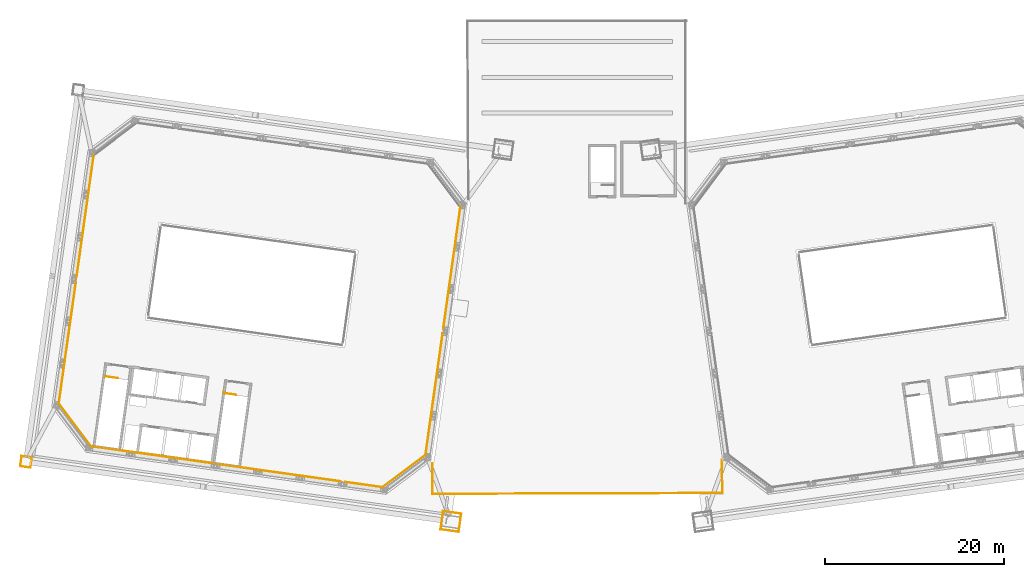
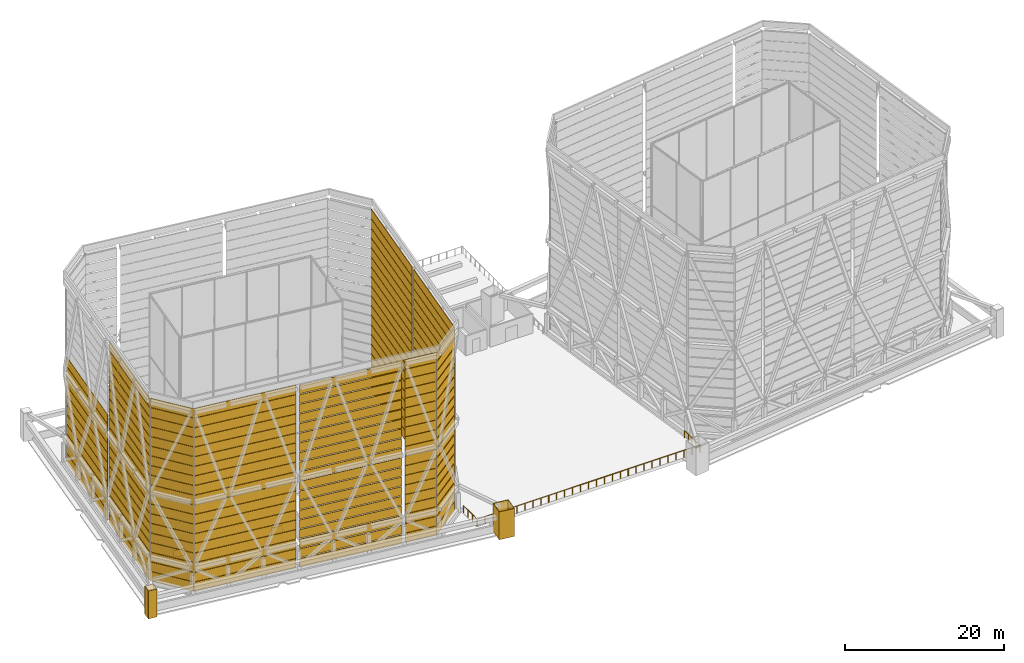
# One storey, part 42 of 45: 171 coverings, 3 railings.
"""IFC4 building model written with IfcOpenShell, lengths in metres."""

from ifc_helpers import new_model, si_unit, direction, frame, origin, origin_2d, place, context, subcontext, project, spatial, polyline, rectangle, outline, extrude, material, layer, layer_set, type_object, element, save


model = new_model("IFC4")

# Units and contexts
model_context = context("Model", 3, precision=1e-05, world=origin(), true_north=direction((0.0, 1.0)))
body_context = subcontext(model_context, "Body", "Model", "MODEL_VIEW")
ifc_project = project(units=[si_unit("LENGTHUNIT", "METRE"), si_unit("AREAUNIT", "SQUARE_METRE"), si_unit("VOLUMEUNIT", "CUBIC_METRE"), si_unit("PLANEANGLEUNIT", "RADIAN"), si_unit("MASSUNIT", "GRAM", prefix="KILO")], contexts=[model_context])

# Site, building, storey
site_placement = place(None, origin())
site = spatial("IfcSite", under=ifc_project, at=site_placement, CompositionType="ELEMENT")
building_placement = place(site_placement, origin())
building = spatial("IfcBuilding", under=site, at=building_placement, Name="Mirante Cascada Hotel Towers", CompositionType="ELEMENT")
storey_placement = place(building_placement, frame((0.0, 0.0, 269.8)))
storey = spatial("IfcBuildingStorey", under=building, at=storey_placement, Name="Roof garden", CompositionType="ELEMENT", Elevation=269.8)

# Coverings
ifc_material_1 = material(Name="Anodised aluminium cladding", Category="aluminium")
ifc_layer_1 = layer(ifc_material_1, 0.05)
ifc_layer_set_1 = layer_set([ifc_layer_1], Name="Column cladding plate 50")
covering_type_1 = type_object("IfcCoveringType", Name="Column cladding plate 50", PredefinedType="CLADDING", material=ifc_layer_set_1)
for number, where, z_axis, x_axis, name in (
    (1, (-15.1226, -25.2973, 0.0), (0.0, 0.0, 1.0), (-0.9902681, 0.1391731, 0.0), "Mega column cladding T1 2.1"),
    (2, (-13.0925, -25.5826, 0.0), (0.0, 0.0, 1.0), (-0.9902681, 0.1391731, 0.0), "Mega column cladding T1 2.2"),
):
    element("IfcCovering", number, at=place(storey_placement, frame(where, z_axis=z_axis, x_axis=x_axis)), inside=storey, type_object=covering_type_1, Name=name, PredefinedType="CLADDING", context=body_context, shape_type="SweptSolid", body=[
        extrude(rectangle(XDim=0.05, YDim=2.0, at=origin_2d()), origin(), (0.0, 0.0, 1.0), 4.3),
    ])
for number, where, z_axis, x_axis, name in (
    (3, (-14.2502, -26.4549, 0.0), (0.0, 0.0, 1.0), (-0.9902681, 0.1391731, 0.0), "Mega column cladding T1 2.3"),
    (4, (-13.9649, -24.4249, 0.0), (0.0, 0.0, 1.0), (-0.9902681, 0.1391731, 0.0), "Mega column cladding T1 2.4"),
):
    element("IfcCovering", number, at=place(storey_placement, frame(where, z_axis=z_axis, x_axis=x_axis)), inside=storey, type_object=covering_type_1, Name=name, PredefinedType="CLADDING", context=body_context, shape_type="SweptSolid", body=[
        extrude(rectangle(XDim=2.1, YDim=0.05, at=origin_2d()), origin(), (0.0, 0.0, 1.0), 4.3),
    ])
for number, where, z_axis, x_axis, name in (
    (5, (-62.2098, -18.6796, 0.0), (0.0, 0.0, 1.0), (-0.9902681, 0.1391731, 0.0), "Mega column cladding T1 4.1"),
    (6, (-61.071, -18.8396, 0.0), (0.0, 0.0, 1.0), (-0.9902681, 0.1391731, 0.0), "Mega column cladding T1 4.2"),
):
    element("IfcCovering", number, at=place(storey_placement, frame(where, z_axis=z_axis, x_axis=x_axis)), inside=storey, type_object=covering_type_1, Name=name, PredefinedType="CLADDING", context=body_context, shape_type="SweptSolid", body=[
        extrude(rectangle(XDim=0.05, YDim=1.1, at=origin_2d()), origin(), (0.0, 0.0, 1.0), 4.3),
    ])
for number, where, z_axis, x_axis, name in (
    (7, (-61.7204, -19.329, 0.0), (0.0, 0.0, 1.0), (-0.9902681, 0.1391731, 0.0), "Mega column cladding T1 4.3"),
    (8, (-61.5604, -18.1902, 0.0), (0.0, 0.0, 1.0), (-0.9902681, 0.1391731, 0.0), "Mega column cladding T1 4.4"),
):
    element("IfcCovering", number, at=place(storey_placement, frame(where, z_axis=z_axis, x_axis=x_axis)), inside=storey, type_object=covering_type_1, Name=name, PredefinedType="CLADDING", context=body_context, shape_type="SweptSolid", body=[
        extrude(rectangle(XDim=1.2, YDim=0.05, at=origin_2d()), origin(), (0.0, 0.0, 1.0), 4.3),
    ])
ifc_material_2 = material(Name="Anodised aluminium louvre blade", Category="aluminium")
ifc_layer_2 = layer(ifc_material_2, 0.06)
ifc_layer_set_2 = layer_set([ifc_layer_2], Name="Crown LOUVRE blade 300x60")
covering_type_2 = type_object("IfcCoveringType", Name="Crown LOUVRE blade 300x60", PredefinedType="USERDEFINED", material=ifc_layer_set_2)
for number, where, z_axis, x_axis, name in (
    (9, (-19.3543, -19.787, 0.07), (0.0, 0.0, 1.0), (0.7986355, 0.601815, 0.0), "LOUVRE T1 run 1 row 1"),
    (10, (-19.3543, -19.787, 1.5542), (0.0, 0.0, 1.0), (0.7986355, 0.601815, 0.0), "LOUVRE T1 run 1 row 2"),
    (11, (-19.3543, -19.787, 3.0384), (0.0, 0.0, 1.0), (0.7986355, 0.601815, 0.0), "LOUVRE T1 run 1 row 3"),
    (12, (-19.3543, -19.787, 4.5226), (0.0, 0.0, 1.0), (0.7986355, 0.601815, 0.0), "LOUVRE T1 run 1 row 4"),
    (13, (-19.3543, -19.787, 6.0068), (0.0, 0.0, 1.0), (0.7986355, 0.601815, 0.0), "LOUVRE T1 run 1 row 5"),
    (14, (-19.3543, -19.787, 7.491), (0.0, 0.0, 1.0), (0.7986355, 0.601815, 0.0), "LOUVRE T1 run 1 row 6"),
    (15, (-19.3543, -19.787, 8.9753), (0.0, 0.0, 1.0), (0.7986355, 0.601815, 0.0), "LOUVRE T1 run 1 row 7"),
    (16, (-19.3543, -19.787, 10.4595), (0.0, 0.0, 1.0), (0.7986355, 0.601815, 0.0), "LOUVRE T1 run 1 row 8"),
    (17, (-19.3543, -19.787, 11.9437), (0.0, 0.0, 1.0), (0.7986355, 0.601815, 0.0), "LOUVRE T1 run 1 row 9"),
    (18, (-19.3543, -19.787, 13.4279), (0.0, 0.0, 1.0), (0.7986355, 0.601815, 0.0), "LOUVRE T1 run 1 row 10"),
    (19, (-19.3543, -19.787, 14.9121), (0.0, 0.0, 1.0), (0.7986355, 0.601815, 0.0), "LOUVRE T1 run 1 row 11"),
    (20, (-19.3543, -19.787, 16.3963), (0.0, 0.0, 1.0), (0.7986355, 0.601815, 0.0), "LOUVRE T1 run 1 row 12"),
    (21, (-19.3543, -19.787, 17.8805), (0.0, 0.0, 1.0), (0.7986355, 0.601815, 0.0), "LOUVRE T1 run 1 row 13"),
    (22, (-19.3543, -19.787, 19.3647), (0.0, 0.0, 1.0), (0.7986355, 0.601815, 0.0), "LOUVRE T1 run 1 row 14"),
    (23, (-19.3543, -19.787, 20.8489), (0.0, 0.0, 1.0), (0.7986355, 0.601815, 0.0), "LOUVRE T1 run 1 row 15"),
    (24, (-19.3543, -19.787, 22.3332), (0.0, 0.0, 1.0), (0.7986355, 0.601815, 0.0), "LOUVRE T1 run 1 row 16"),
    (25, (-19.3543, -19.787, 23.8174), (0.0, 0.0, 1.0), (0.7986355, 0.601815, 0.0), "LOUVRE T1 run 1 row 17"),
    (26, (-19.3543, -19.787, 25.3016), (0.0, 0.0, 1.0), (0.7986355, 0.601815, 0.0), "LOUVRE T1 run 1 row 18"),
    (27, (-19.3543, -19.787, 26.7858), (0.0, 0.0, 1.0), (0.7986355, 0.601815, 0.0), "LOUVRE T1 run 1 row 19"),
):
    element("IfcCovering", number, at=place(storey_placement, frame(where, z_axis=z_axis, x_axis=x_axis)), inside=storey, type_object=covering_type_2, Name=name, ObjectType="LOUVRE", PredefinedType="USERDEFINED", context=body_context, shape_type="SweptSolid", body=[
        extrude(rectangle(XDim=5.9912, YDim=0.06, at=origin_2d()), origin(), (0.0, 0.0, 1.0), 1.3358),
    ])
for number, where, z_axis, x_axis, name in (
    (28, (-57.0104, -5.4311, 0.07), (0.0, 0.0, 1.0), (-0.1391731, -0.9902681, 0.0), "LOUVRE T1 run 10 row 1"),
    (29, (-57.0104, -5.4311, 1.5542), (0.0, 0.0, 1.0), (-0.1391731, -0.9902681, 0.0), "LOUVRE T1 run 10 row 2"),
    (30, (-57.0104, -5.4311, 3.0384), (0.0, 0.0, 1.0), (-0.1391731, -0.9902681, 0.0), "LOUVRE T1 run 10 row 3"),
    (31, (-57.0104, -5.4311, 4.5226), (0.0, 0.0, 1.0), (-0.1391731, -0.9902681, 0.0), "LOUVRE T1 run 10 row 4"),
    (32, (-57.0104, -5.4311, 6.0068), (0.0, 0.0, 1.0), (-0.1391731, -0.9902681, 0.0), "LOUVRE T1 run 10 row 5"),
    (33, (-57.0104, -5.4311, 7.491), (0.0, 0.0, 1.0), (-0.1391731, -0.9902681, 0.0), "LOUVRE T1 run 10 row 6"),
    (34, (-57.0104, -5.4311, 8.9753), (0.0, 0.0, 1.0), (-0.1391731, -0.9902681, 0.0), "LOUVRE T1 run 10 row 7"),
    (35, (-57.0104, -5.4311, 10.4595), (0.0, 0.0, 1.0), (-0.1391731, -0.9902681, 0.0), "LOUVRE T1 run 10 row 8"),
    (36, (-57.0104, -5.4311, 11.9437), (0.0, 0.0, 1.0), (-0.1391731, -0.9902681, 0.0), "LOUVRE T1 run 10 row 9"),
    (37, (-57.0104, -5.4311, 13.4279), (0.0, 0.0, 1.0), (-0.1391731, -0.9902681, 0.0), "LOUVRE T1 run 10 row 10"),
    (38, (-57.0104, -5.4311, 14.9121), (0.0, 0.0, 1.0), (-0.1391731, -0.9902681, 0.0), "LOUVRE T1 run 10 row 11"),
    (39, (-57.0104, -5.4311, 16.3963), (0.0, 0.0, 1.0), (-0.1391731, -0.9902681, 0.0), "LOUVRE T1 run 10 row 12"),
    (40, (-57.0104, -5.4311, 17.8805), (0.0, 0.0, 1.0), (-0.1391731, -0.9902681, 0.0), "LOUVRE T1 run 10 row 13"),
    (41, (-57.0104, -5.4311, 19.3647), (0.0, 0.0, 1.0), (-0.1391731, -0.9902681, 0.0), "LOUVRE T1 run 10 row 14"),
    (42, (-57.0104, -5.4311, 20.8489), (0.0, 0.0, 1.0), (-0.1391731, -0.9902681, 0.0), "LOUVRE T1 run 10 row 15"),
    (43, (-57.0104, -5.4311, 22.3332), (0.0, 0.0, 1.0), (-0.1391731, -0.9902681, 0.0), "LOUVRE T1 run 10 row 16"),
    (44, (-57.0104, -5.4311, 23.8174), (0.0, 0.0, 1.0), (-0.1391731, -0.9902681, 0.0), "LOUVRE T1 run 10 row 17"),
    (45, (-57.0104, -5.4311, 25.3016), (0.0, 0.0, 1.0), (-0.1391731, -0.9902681, 0.0), "LOUVRE T1 run 10 row 18"),
    (46, (-57.0104, -5.4311, 26.7858), (0.0, 0.0, 1.0), (-0.1391731, -0.9902681, 0.0), "LOUVRE T1 run 10 row 19"),
):
    element("IfcCovering", number, at=place(storey_placement, frame(where, z_axis=z_axis, x_axis=x_axis)), inside=storey, type_object=covering_type_2, Name=name, ObjectType="LOUVRE", PredefinedType="USERDEFINED", context=body_context, shape_type="SweptSolid", body=[
        extrude(rectangle(XDim=13.8136, YDim=0.06, at=origin_2d()), origin(), (0.0, 0.0, 1.0), 1.3358),
    ])
for number, where, z_axis, x_axis, name in (
    (47, (-33.3051, -19.985, 0.07), (0.0, 0.0, 1.0), (0.9902681, -0.1391731, 0.0), "LOUVRE T1 run 13 row 1"),
    (48, (-33.3051, -19.985, 1.5542), (0.0, 0.0, 1.0), (0.9902681, -0.1391731, 0.0), "LOUVRE T1 run 13 row 2"),
    (49, (-33.3051, -19.985, 3.0384), (0.0, 0.0, 1.0), (0.9902681, -0.1391731, 0.0), "LOUVRE T1 run 13 row 3"),
    (50, (-33.3051, -19.985, 4.5226), (0.0, 0.0, 1.0), (0.9902681, -0.1391731, 0.0), "LOUVRE T1 run 13 row 4"),
    (51, (-33.3051, -19.985, 6.0068), (0.0, 0.0, 1.0), (0.9902681, -0.1391731, 0.0), "LOUVRE T1 run 13 row 5"),
    (52, (-33.3051, -19.985, 7.491), (0.0, 0.0, 1.0), (0.9902681, -0.1391731, 0.0), "LOUVRE T1 run 13 row 6"),
    (53, (-33.3051, -19.985, 8.9753), (0.0, 0.0, 1.0), (0.9902681, -0.1391731, 0.0), "LOUVRE T1 run 13 row 7"),
    (54, (-33.3051, -19.985, 10.4595), (0.0, 0.0, 1.0), (0.9902681, -0.1391731, 0.0), "LOUVRE T1 run 13 row 8"),
    (55, (-33.3051, -19.985, 11.9437), (0.0, 0.0, 1.0), (0.9902681, -0.1391731, 0.0), "LOUVRE T1 run 13 row 9"),
    (56, (-33.3051, -19.985, 13.4279), (0.0, 0.0, 1.0), (0.9902681, -0.1391731, 0.0), "LOUVRE T1 run 13 row 10"),
    (57, (-33.3051, -19.985, 14.9121), (0.0, 0.0, 1.0), (0.9902681, -0.1391731, 0.0), "LOUVRE T1 run 13 row 11"),
    (58, (-33.3051, -19.985, 16.3963), (0.0, 0.0, 1.0), (0.9902681, -0.1391731, 0.0), "LOUVRE T1 run 13 row 12"),
    (59, (-33.3051, -19.985, 17.8805), (0.0, 0.0, 1.0), (0.9902681, -0.1391731, 0.0), "LOUVRE T1 run 13 row 13"),
    (60, (-33.3051, -19.985, 19.3647), (0.0, 0.0, 1.0), (0.9902681, -0.1391731, 0.0), "LOUVRE T1 run 13 row 14"),
    (61, (-33.3051, -19.985, 20.8489), (0.0, 0.0, 1.0), (0.9902681, -0.1391731, 0.0), "LOUVRE T1 run 13 row 15"),
    (62, (-33.3051, -19.985, 22.3332), (0.0, 0.0, 1.0), (0.9902681, -0.1391731, 0.0), "LOUVRE T1 run 13 row 16"),
    (63, (-33.3051, -19.985, 23.8174), (0.0, 0.0, 1.0), (0.9902681, -0.1391731, 0.0), "LOUVRE T1 run 13 row 17"),
    (64, (-33.3051, -19.985, 25.3016), (0.0, 0.0, 1.0), (0.9902681, -0.1391731, 0.0), "LOUVRE T1 run 13 row 18"),
    (65, (-33.3051, -19.985, 26.7858), (0.0, 0.0, 1.0), (0.9902681, -0.1391731, 0.0), "LOUVRE T1 run 13 row 19"),
):
    element("IfcCovering", number, at=place(storey_placement, frame(where, z_axis=z_axis, x_axis=x_axis)), inside=storey, type_object=covering_type_2, Name=name, ObjectType="LOUVRE", PredefinedType="USERDEFINED", context=body_context, shape_type="SweptSolid", body=[
        extrude(rectangle(XDim=13.8625, YDim=0.06, at=origin_2d()), origin(), (0.0, 0.0, 1.0), 1.3358),
    ])
ifc_material_3 = material(Name="Perforated stainless steel screen", Category="steel")
ifc_layer_3 = layer(ifc_material_3, 0.06)
ifc_layer_set_3 = layer_set([ifc_layer_3], Name="Perforated metal SCREEN panel 4500x60")
covering_type_3 = type_object("IfcCoveringType", Name="Perforated metal SCREEN panel 4500x60", PredefinedType="USERDEFINED", material=ifc_layer_set_3)
for number, where, z_axis, x_axis, name in (
    (66, (-15.9883, -11.1964, 0.1), (0.0, 0.0, 1.0), (0.1391731, 0.9902681, 0.0), "SCREEN T1 run 2 row 1"),
    (67, (-15.9883, -11.1964, 1.5842), (0.0, 0.0, 1.0), (0.1391731, 0.9902681, 0.0), "SCREEN T1 run 2 row 2"),
    (68, (-15.9883, -11.1964, 3.0684), (0.0, 0.0, 1.0), (0.1391731, 0.9902681, 0.0), "SCREEN T1 run 2 row 3"),
    (69, (-15.9883, -11.1964, 4.5526), (0.0, 0.0, 1.0), (0.1391731, 0.9902681, 0.0), "SCREEN T1 run 2 row 4"),
    (70, (-15.9883, -11.1964, 6.0368), (0.0, 0.0, 1.0), (0.1391731, 0.9902681, 0.0), "SCREEN T1 run 2 row 5"),
    (71, (-15.9883, -11.1964, 7.5211), (0.0, 0.0, 1.0), (0.1391731, 0.9902681, 0.0), "SCREEN T1 run 2 row 6"),
    (72, (-15.9883, -11.1964, 9.0053), (0.0, 0.0, 1.0), (0.1391731, 0.9902681, 0.0), "SCREEN T1 run 2 row 7"),
    (73, (-15.9883, -11.1964, 10.4895), (0.0, 0.0, 1.0), (0.1391731, 0.9902681, 0.0), "SCREEN T1 run 2 row 8"),
    (74, (-15.9883, -11.1964, 11.9737), (0.0, 0.0, 1.0), (0.1391731, 0.9902681, 0.0), "SCREEN T1 run 2 row 9"),
    (75, (-15.9883, -11.1964, 13.4579), (0.0, 0.0, 1.0), (0.1391731, 0.9902681, 0.0), "SCREEN T1 run 2 row 10"),
    (76, (-15.9883, -11.1964, 14.9421), (0.0, 0.0, 1.0), (0.1391731, 0.9902681, 0.0), "SCREEN T1 run 2 row 11"),
    (77, (-15.9883, -11.1964, 16.4263), (0.0, 0.0, 1.0), (0.1391731, 0.9902681, 0.0), "SCREEN T1 run 2 row 12"),
    (78, (-15.9883, -11.1964, 17.9105), (0.0, 0.0, 1.0), (0.1391731, 0.9902681, 0.0), "SCREEN T1 run 2 row 13"),
    (79, (-15.9883, -11.1964, 19.3947), (0.0, 0.0, 1.0), (0.1391731, 0.9902681, 0.0), "SCREEN T1 run 2 row 14"),
    (80, (-15.9883, -11.1964, 20.879), (0.0, 0.0, 1.0), (0.1391731, 0.9902681, 0.0), "SCREEN T1 run 2 row 15"),
    (81, (-15.9883, -11.1964, 22.3632), (0.0, 0.0, 1.0), (0.1391731, 0.9902681, 0.0), "SCREEN T1 run 2 row 16"),
    (82, (-15.9883, -11.1964, 23.8474), (0.0, 0.0, 1.0), (0.1391731, 0.9902681, 0.0), "SCREEN T1 run 2 row 17"),
    (83, (-15.9883, -11.1964, 25.3316), (0.0, 0.0, 1.0), (0.1391731, 0.9902681, 0.0), "SCREEN T1 run 2 row 18"),
    (84, (-15.9883, -11.1964, 26.8158), (0.0, 0.0, 1.0), (0.1391731, 0.9902681, 0.0), "SCREEN T1 run 2 row 19"),
    (85, (-13.9962, 2.978, 0.1), (0.0, 0.0, 1.0), (0.1391731, 0.9902681, 0.0), "SCREEN T1 run 3 row 1"),
    (86, (-13.9962, 2.978, 1.5842), (0.0, 0.0, 1.0), (0.1391731, 0.9902681, 0.0), "SCREEN T1 run 3 row 2"),
    (87, (-13.9962, 2.978, 3.0684), (0.0, 0.0, 1.0), (0.1391731, 0.9902681, 0.0), "SCREEN T1 run 3 row 3"),
    (88, (-13.9962, 2.978, 4.5526), (0.0, 0.0, 1.0), (0.1391731, 0.9902681, 0.0), "SCREEN T1 run 3 row 4"),
    (89, (-13.9962, 2.978, 6.0368), (0.0, 0.0, 1.0), (0.1391731, 0.9902681, 0.0), "SCREEN T1 run 3 row 5"),
    (90, (-13.9962, 2.978, 7.5211), (0.0, 0.0, 1.0), (0.1391731, 0.9902681, 0.0), "SCREEN T1 run 3 row 6"),
    (91, (-13.9962, 2.978, 9.0053), (0.0, 0.0, 1.0), (0.1391731, 0.9902681, 0.0), "SCREEN T1 run 3 row 7"),
    (92, (-13.9962, 2.978, 10.4895), (0.0, 0.0, 1.0), (0.1391731, 0.9902681, 0.0), "SCREEN T1 run 3 row 8"),
    (93, (-13.9962, 2.978, 11.9737), (0.0, 0.0, 1.0), (0.1391731, 0.9902681, 0.0), "SCREEN T1 run 3 row 9"),
    (94, (-13.9962, 2.978, 13.4579), (0.0, 0.0, 1.0), (0.1391731, 0.9902681, 0.0), "SCREEN T1 run 3 row 10"),
    (95, (-13.9962, 2.978, 14.9421), (0.0, 0.0, 1.0), (0.1391731, 0.9902681, 0.0), "SCREEN T1 run 3 row 11"),
    (96, (-13.9962, 2.978, 16.4263), (0.0, 0.0, 1.0), (0.1391731, 0.9902681, 0.0), "SCREEN T1 run 3 row 12"),
    (97, (-13.9962, 2.978, 17.9105), (0.0, 0.0, 1.0), (0.1391731, 0.9902681, 0.0), "SCREEN T1 run 3 row 13"),
    (98, (-13.9962, 2.978, 19.3947), (0.0, 0.0, 1.0), (0.1391731, 0.9902681, 0.0), "SCREEN T1 run 3 row 14"),
    (99, (-13.9962, 2.978, 20.879), (0.0, 0.0, 1.0), (0.1391731, 0.9902681, 0.0), "SCREEN T1 run 3 row 15"),
    (100, (-13.9962, 2.978, 22.3632), (0.0, 0.0, 1.0), (0.1391731, 0.9902681, 0.0), "SCREEN T1 run 3 row 16"),
    (101, (-13.9962, 2.978, 23.8474), (0.0, 0.0, 1.0), (0.1391731, 0.9902681, 0.0), "SCREEN T1 run 3 row 17"),
    (102, (-13.9962, 2.978, 25.3316), (0.0, 0.0, 1.0), (0.1391731, 0.9902681, 0.0), "SCREEN T1 run 3 row 18"),
    (103, (-13.9962, 2.978, 26.8158), (0.0, 0.0, 1.0), (0.1391731, 0.9902681, 0.0), "SCREEN T1 run 3 row 19"),
    (104, (-55.0183, 8.7432, 0.1), (0.0, 0.0, 1.0), (-0.1391731, -0.9902681, 0.0), "SCREEN T1 run 9 row 1"),
    (105, (-55.0183, 8.7432, 1.5842), (0.0, 0.0, 1.0), (-0.1391731, -0.9902681, 0.0), "SCREEN T1 run 9 row 2"),
    (106, (-55.0183, 8.7432, 3.0684), (0.0, 0.0, 1.0), (-0.1391731, -0.9902681, 0.0), "SCREEN T1 run 9 row 3"),
    (107, (-55.0183, 8.7432, 4.5526), (0.0, 0.0, 1.0), (-0.1391731, -0.9902681, 0.0), "SCREEN T1 run 9 row 4"),
    (108, (-55.0183, 8.7432, 6.0368), (0.0, 0.0, 1.0), (-0.1391731, -0.9902681, 0.0), "SCREEN T1 run 9 row 5"),
    (109, (-55.0183, 8.7432, 7.5211), (0.0, 0.0, 1.0), (-0.1391731, -0.9902681, 0.0), "SCREEN T1 run 9 row 6"),
    (110, (-55.0183, 8.7432, 9.0053), (0.0, 0.0, 1.0), (-0.1391731, -0.9902681, 0.0), "SCREEN T1 run 9 row 7"),
    (111, (-55.0183, 8.7432, 10.4895), (0.0, 0.0, 1.0), (-0.1391731, -0.9902681, 0.0), "SCREEN T1 run 9 row 8"),
    (112, (-55.0183, 8.7432, 11.9737), (0.0, 0.0, 1.0), (-0.1391731, -0.9902681, 0.0), "SCREEN T1 run 9 row 9"),
    (113, (-55.0183, 8.7432, 13.4579), (0.0, 0.0, 1.0), (-0.1391731, -0.9902681, 0.0), "SCREEN T1 run 9 row 10"),
    (114, (-55.0183, 8.7432, 14.9421), (0.0, 0.0, 1.0), (-0.1391731, -0.9902681, 0.0), "SCREEN T1 run 9 row 11"),
):
    element("IfcCovering", number, at=place(storey_placement, frame(where, z_axis=z_axis, x_axis=x_axis)), inside=storey, type_object=covering_type_3, Name=name, ObjectType="SCREEN", PredefinedType="USERDEFINED", context=body_context, shape_type="SweptSolid", body=[
        extrude(rectangle(XDim=13.8136, YDim=0.06, at=origin_2d()), origin(), (0.0, 0.0, 1.0), 1.4242),
    ])
for number, where, z_axis, x_axis, name in (
    (115, (-56.1426, -14.6167, 0.1), (0.0, 0.0, 1.0), (0.601815, -0.7986355, 0.0), "SCREEN T1 run 11 row 1"),
    (116, (-56.1426, -14.6167, 1.5842), (0.0, 0.0, 1.0), (0.601815, -0.7986355, 0.0), "SCREEN T1 run 11 row 2"),
    (117, (-56.1426, -14.6167, 3.0684), (0.0, 0.0, 1.0), (0.601815, -0.7986355, 0.0), "SCREEN T1 run 11 row 3"),
    (118, (-56.1426, -14.6167, 4.5526), (0.0, 0.0, 1.0), (0.601815, -0.7986355, 0.0), "SCREEN T1 run 11 row 4"),
    (119, (-56.1426, -14.6167, 6.0368), (0.0, 0.0, 1.0), (0.601815, -0.7986355, 0.0), "SCREEN T1 run 11 row 5"),
    (120, (-56.1426, -14.6167, 7.5211), (0.0, 0.0, 1.0), (0.601815, -0.7986355, 0.0), "SCREEN T1 run 11 row 6"),
    (121, (-56.1426, -14.6167, 9.0053), (0.0, 0.0, 1.0), (0.601815, -0.7986355, 0.0), "SCREEN T1 run 11 row 7"),
    (122, (-56.1426, -14.6167, 10.4895), (0.0, 0.0, 1.0), (0.601815, -0.7986355, 0.0), "SCREEN T1 run 11 row 8"),
    (123, (-56.1426, -14.6167, 11.9737), (0.0, 0.0, 1.0), (0.601815, -0.7986355, 0.0), "SCREEN T1 run 11 row 9"),
    (124, (-56.1426, -14.6167, 13.4579), (0.0, 0.0, 1.0), (0.601815, -0.7986355, 0.0), "SCREEN T1 run 11 row 10"),
    (125, (-56.1426, -14.6167, 14.9421), (0.0, 0.0, 1.0), (0.601815, -0.7986355, 0.0), "SCREEN T1 run 11 row 11"),
    (126, (-56.1426, -14.6167, 16.4263), (0.0, 0.0, 1.0), (0.601815, -0.7986355, 0.0), "SCREEN T1 run 11 row 12"),
    (127, (-56.1426, -14.6167, 17.9105), (0.0, 0.0, 1.0), (0.601815, -0.7986355, 0.0), "SCREEN T1 run 11 row 13"),
    (128, (-56.1426, -14.6167, 19.3947), (0.0, 0.0, 1.0), (0.601815, -0.7986355, 0.0), "SCREEN T1 run 11 row 14"),
    (129, (-56.1426, -14.6167, 20.879), (0.0, 0.0, 1.0), (0.601815, -0.7986355, 0.0), "SCREEN T1 run 11 row 15"),
    (130, (-56.1426, -14.6167, 22.3632), (0.0, 0.0, 1.0), (0.601815, -0.7986355, 0.0), "SCREEN T1 run 11 row 16"),
    (131, (-56.1426, -14.6167, 23.8474), (0.0, 0.0, 1.0), (0.601815, -0.7986355, 0.0), "SCREEN T1 run 11 row 17"),
    (132, (-56.1426, -14.6167, 25.3316), (0.0, 0.0, 1.0), (0.601815, -0.7986355, 0.0), "SCREEN T1 run 11 row 18"),
    (133, (-56.1426, -14.6167, 26.8158), (0.0, 0.0, 1.0), (0.601815, -0.7986355, 0.0), "SCREEN T1 run 11 row 19"),
):
    element("IfcCovering", number, at=place(storey_placement, frame(where, z_axis=z_axis, x_axis=x_axis)), inside=storey, type_object=covering_type_3, Name=name, ObjectType="SCREEN", PredefinedType="USERDEFINED", context=body_context, shape_type="SweptSolid", body=[
        extrude(rectangle(XDim=5.9912, YDim=0.06, at=origin_2d()), origin(), (0.0, 0.0, 1.0), 1.4242),
    ])
for number, where, z_axis, x_axis, name in (
    (134, (-47.5278, -17.9862, 0.1), (0.0, 0.0, 1.0), (0.9902681, -0.1391731, 0.0), "SCREEN T1 run 12 row 1"),
    (135, (-47.5278, -17.9862, 1.5842), (0.0, 0.0, 1.0), (0.9902681, -0.1391731, 0.0), "SCREEN T1 run 12 row 2"),
    (136, (-47.5278, -17.9862, 3.0684), (0.0, 0.0, 1.0), (0.9902681, -0.1391731, 0.0), "SCREEN T1 run 12 row 3"),
    (137, (-47.5278, -17.9862, 4.5526), (0.0, 0.0, 1.0), (0.9902681, -0.1391731, 0.0), "SCREEN T1 run 12 row 4"),
    (138, (-47.5278, -17.9862, 6.0368), (0.0, 0.0, 1.0), (0.9902681, -0.1391731, 0.0), "SCREEN T1 run 12 row 5"),
    (139, (-47.5278, -17.9862, 7.5211), (0.0, 0.0, 1.0), (0.9902681, -0.1391731, 0.0), "SCREEN T1 run 12 row 6"),
    (140, (-47.5278, -17.9862, 9.0053), (0.0, 0.0, 1.0), (0.9902681, -0.1391731, 0.0), "SCREEN T1 run 12 row 7"),
    (141, (-47.5278, -17.9862, 10.4895), (0.0, 0.0, 1.0), (0.9902681, -0.1391731, 0.0), "SCREEN T1 run 12 row 8"),
    (142, (-47.5278, -17.9862, 11.9737), (0.0, 0.0, 1.0), (0.9902681, -0.1391731, 0.0), "SCREEN T1 run 12 row 9"),
    (143, (-47.5278, -17.9862, 13.4579), (0.0, 0.0, 1.0), (0.9902681, -0.1391731, 0.0), "SCREEN T1 run 12 row 10"),
    (144, (-47.5278, -17.9862, 14.9421), (0.0, 0.0, 1.0), (0.9902681, -0.1391731, 0.0), "SCREEN T1 run 12 row 11"),
    (145, (-47.5278, -17.9862, 16.4263), (0.0, 0.0, 1.0), (0.9902681, -0.1391731, 0.0), "SCREEN T1 run 12 row 12"),
    (146, (-47.5278, -17.9862, 17.9105), (0.0, 0.0, 1.0), (0.9902681, -0.1391731, 0.0), "SCREEN T1 run 12 row 13"),
    (147, (-47.5278, -17.9862, 19.3947), (0.0, 0.0, 1.0), (0.9902681, -0.1391731, 0.0), "SCREEN T1 run 12 row 14"),
    (148, (-47.5278, -17.9862, 20.879), (0.0, 0.0, 1.0), (0.9902681, -0.1391731, 0.0), "SCREEN T1 run 12 row 15"),
    (149, (-47.5278, -17.9862, 22.3632), (0.0, 0.0, 1.0), (0.9902681, -0.1391731, 0.0), "SCREEN T1 run 12 row 16"),
    (150, (-47.5278, -17.9862, 23.8474), (0.0, 0.0, 1.0), (0.9902681, -0.1391731, 0.0), "SCREEN T1 run 12 row 17"),
    (151, (-47.5278, -17.9862, 25.3316), (0.0, 0.0, 1.0), (0.9902681, -0.1391731, 0.0), "SCREEN T1 run 12 row 18"),
    (152, (-47.5278, -17.9862, 26.8158), (0.0, 0.0, 1.0), (0.9902681, -0.1391731, 0.0), "SCREEN T1 run 12 row 19"),
):
    element("IfcCovering", number, at=place(storey_placement, frame(where, z_axis=z_axis, x_axis=x_axis)), inside=storey, type_object=covering_type_3, Name=name, ObjectType="SCREEN", PredefinedType="USERDEFINED", context=body_context, shape_type="SweptSolid", body=[
        extrude(rectangle(XDim=13.8625, YDim=0.06, at=origin_2d()), origin(), (0.0, 0.0, 1.0), 1.4242),
    ])
for number, where, z_axis, x_axis, name in (
    (153, (-23.8233, -21.3176, 0.1), (0.0, 0.0, 1.0), (0.9902681, -0.1391731, 0.0), "SCREEN T1 run 14 row 1"),
    (154, (-23.8233, -21.3176, 1.5842), (0.0, 0.0, 1.0), (0.9902681, -0.1391731, 0.0), "SCREEN T1 run 14 row 2"),
    (155, (-23.8233, -21.3176, 3.0684), (0.0, 0.0, 1.0), (0.9902681, -0.1391731, 0.0), "SCREEN T1 run 14 row 3"),
    (156, (-23.8233, -21.3176, 4.5526), (0.0, 0.0, 1.0), (0.9902681, -0.1391731, 0.0), "SCREEN T1 run 14 row 4"),
    (157, (-23.8233, -21.3176, 6.0368), (0.0, 0.0, 1.0), (0.9902681, -0.1391731, 0.0), "SCREEN T1 run 14 row 5"),
    (158, (-23.8233, -21.3176, 7.5211), (0.0, 0.0, 1.0), (0.9902681, -0.1391731, 0.0), "SCREEN T1 run 14 row 6"),
    (159, (-23.8233, -21.3176, 9.0053), (0.0, 0.0, 1.0), (0.9902681, -0.1391731, 0.0), "SCREEN T1 run 14 row 7"),
    (160, (-23.8233, -21.3176, 10.4895), (0.0, 0.0, 1.0), (0.9902681, -0.1391731, 0.0), "SCREEN T1 run 14 row 8"),
    (161, (-23.8233, -21.3176, 11.9737), (0.0, 0.0, 1.0), (0.9902681, -0.1391731, 0.0), "SCREEN T1 run 14 row 9"),
    (162, (-23.8233, -21.3176, 13.4579), (0.0, 0.0, 1.0), (0.9902681, -0.1391731, 0.0), "SCREEN T1 run 14 row 10"),
    (163, (-23.8233, -21.3176, 14.9421), (0.0, 0.0, 1.0), (0.9902681, -0.1391731, 0.0), "SCREEN T1 run 14 row 11"),
    (164, (-23.8233, -21.3176, 16.4263), (0.0, 0.0, 1.0), (0.9902681, -0.1391731, 0.0), "SCREEN T1 run 14 row 12"),
    (165, (-23.8233, -21.3176, 17.9105), (0.0, 0.0, 1.0), (0.9902681, -0.1391731, 0.0), "SCREEN T1 run 14 row 13"),
    (166, (-23.8233, -21.3176, 19.3947), (0.0, 0.0, 1.0), (0.9902681, -0.1391731, 0.0), "SCREEN T1 run 14 row 14"),
    (167, (-23.8233, -21.3176, 20.879), (0.0, 0.0, 1.0), (0.9902681, -0.1391731, 0.0), "SCREEN T1 run 14 row 15"),
    (168, (-23.8233, -21.3176, 22.3632), (0.0, 0.0, 1.0), (0.9902681, -0.1391731, 0.0), "SCREEN T1 run 14 row 16"),
    (169, (-23.8233, -21.3176, 23.8474), (0.0, 0.0, 1.0), (0.9902681, -0.1391731, 0.0), "SCREEN T1 run 14 row 17"),
    (170, (-23.8233, -21.3176, 25.3316), (0.0, 0.0, 1.0), (0.9902681, -0.1391731, 0.0), "SCREEN T1 run 14 row 18"),
    (171, (-23.8233, -21.3176, 26.8158), (0.0, 0.0, 1.0), (0.9902681, -0.1391731, 0.0), "SCREEN T1 run 14 row 19"),
):
    element("IfcCovering", number, at=place(storey_placement, frame(where, z_axis=z_axis, x_axis=x_axis)), inside=storey, type_object=covering_type_3, Name=name, ObjectType="SCREEN", PredefinedType="USERDEFINED", context=body_context, shape_type="SweptSolid", body=[
        extrude(rectangle(XDim=4.2875, YDim=0.06, at=origin_2d()), origin(), (0.0, 0.0, 1.0), 1.4242),
    ])

# Railings
ifc_material_4 = material(Name="Painted steel", Category="steel")
railing_type_1 = type_object("IfcRailingType", Name="Stair guard 1100 steel balustrade", PredefinedType="GUARDRAIL", material=ifc_material_4)
railing_1_placement = place(storey_placement, frame((-39.6032, -11.0516, 0.0)))
element("IfcRailing", 172, at=railing_1_placement, inside=storey, type_object=railing_type_1, Name="Roof garden ST1-A top well guard 1", PredefinedType="GUARDRAIL", context=body_context, shape_type="SweptSolid", body=[
    extrude(rectangle(XDim=0.048, YDim=0.048, at=origin_2d()), frame((0.0, 0.0, 1.076), z_axis=(0.9902735, -0.1391343, 0.0), x_axis=(0.1391343, 0.9902735, 0.0)), (0.0, 0.0, 1.0), 1.5),
    extrude(rectangle(XDim=0.02, YDim=1.052, at=origin_2d()), frame((0.0, 0.0, 0.526), z_axis=(0.9902735, -0.1391343, 0.0), x_axis=(0.1391343, 0.9902735, 0.0)), (0.0, 0.0, 1.0), 1.5),
])
railing_2_placement = place(storey_placement, frame((-52.8233, -9.1936, 0.0)))
element("IfcRailing", 173, at=railing_2_placement, inside=storey, type_object=railing_type_1, Name="Roof garden ST1-B top well guard 1", PredefinedType="GUARDRAIL", context=body_context, shape_type="SweptSolid", body=[
    extrude(rectangle(XDim=0.048, YDim=0.048, at=origin_2d()), frame((0.0, 0.0, 1.076), z_axis=(0.9902643, -0.1391997, 0.0), x_axis=(0.1391997, 0.9902643, 0.0)), (0.0, 0.0, 1.0), 1.5),
    extrude(rectangle(XDim=0.02, YDim=1.052, at=origin_2d()), frame((0.0, 0.0, 0.526), z_axis=(0.9902643, -0.1391997, 0.0), x_axis=(0.1391997, 0.9902643, 0.0)), (0.0, 0.0, 1.0), 1.5),
])
ifc_material_5 = material(Name="Stainless steel AISI 316", Category="steel")
railing_type_2 = type_object("IfcRailingType", Name="Terrace guard 1100", PredefinedType="GUARDRAIL", material=ifc_material_5)
railing_3_placement = place(storey_placement, frame((-16.1874, -18.9453, 0.0)))
element("IfcRailing", 174, at=railing_3_placement, inside=storey, type_object=railing_type_2, Name="GUARD sky park roof garden 2", PredefinedType="GUARDRAIL", context=body_context, shape_type="SweptSolid", body=[
    extrude(outline(polyline([(0.025, 0.0104), (0.0104, 0.025), (-0.0104, 0.025), (-0.025, 0.0104), (-0.025, -0.0104), (-0.0104, -0.025), (0.0104, -0.025), (0.025, -0.0104), (0.025, 0.0104)])), frame((0.0, 0.0, 1.075), z_axis=(0.0, -1.0, 0.0), x_axis=(1.0, 0.0, 0.0)), (0.0, 0.0, 1.0), 3.4066),
    extrude(outline(polyline([(0.025, 0.0104), (0.0104, 0.025), (-0.0104, 0.025), (-0.025, 0.0104), (-0.025, -0.0104), (-0.0104, -0.025), (0.0104, -0.025), (0.025, -0.0104), (0.025, 0.0104)])), frame((0.0, -3.4066, 1.075), z_axis=(0.9999953, 0.0030793, 0.0), x_axis=(-0.0030793, 0.9999953, 0.0)), (0.0, 0.0, 1.0), 32.475),
    extrude(outline(polyline([(0.025, 0.0104), (0.0104, 0.025), (-0.0104, 0.025), (-0.025, 0.0104), (-0.025, -0.0104), (-0.0104, -0.025), (0.0104, -0.025), (0.025, -0.0104), (0.025, 0.0104)])), frame((32.4748, -3.3066, 1.075), z_axis=(-0.0271477, 0.9996314, 0.0), x_axis=(-0.9996314, -0.0271477, 0.0)), (0.0, 0.0, 1.0), 3.6836),
    extrude(rectangle(XDim=0.05, YDim=0.05, at=origin_2d()), origin(), (0.0, 0.0, 1.0), 1.05),
    extrude(rectangle(XDim=0.05, YDim=0.05, at=origin_2d()), frame((0.0, -1.1355, 0.0)), (0.0, 0.0, 1.0), 1.05),
    extrude(rectangle(XDim=0.05, YDim=0.05, at=origin_2d()), frame((0.0, -2.2711, 0.0)), (0.0, 0.0, 1.0), 1.05),
    extrude(rectangle(XDim=0.05, YDim=0.05, at=origin_2d()), frame((0.0, -3.4066, 0.0)), (0.0, 0.0, 1.0), 1.05),
    extrude(rectangle(XDim=0.05, YDim=0.05, at=origin_2d()), frame((1.1598, -3.403, 0.0)), (0.0, 0.0, 1.0), 1.05),
    extrude(rectangle(XDim=0.05, YDim=0.05, at=origin_2d()), frame((2.3196, -3.3995, 0.0)), (0.0, 0.0, 1.0), 1.05),
    extrude(rectangle(XDim=0.05, YDim=0.05, at=origin_2d()), frame((3.4794, -3.3959, 0.0)), (0.0, 0.0, 1.0), 1.05),
    extrude(rectangle(XDim=0.05, YDim=0.05, at=origin_2d()), frame((4.6393, -3.3923, 0.0)), (0.0, 0.0, 1.0), 1.05),
    extrude(rectangle(XDim=0.05, YDim=0.05, at=origin_2d()), frame((5.7991, -3.3887, 0.0)), (0.0, 0.0, 1.0), 1.05),
    extrude(rectangle(XDim=0.05, YDim=0.05, at=origin_2d()), frame((6.9589, -3.3852, 0.0)), (0.0, 0.0, 1.0), 1.05),
    extrude(rectangle(XDim=0.05, YDim=0.05, at=origin_2d()), frame((8.1187, -3.3816, 0.0)), (0.0, 0.0, 1.0), 1.05),
    extrude(rectangle(XDim=0.05, YDim=0.05, at=origin_2d()), frame((9.2785, -3.378, 0.0)), (0.0, 0.0, 1.0), 1.05),
    extrude(rectangle(XDim=0.05, YDim=0.05, at=origin_2d()), frame((10.4383, -3.3745, 0.0)), (0.0, 0.0, 1.0), 1.05),
    extrude(rectangle(XDim=0.05, YDim=0.05, at=origin_2d()), frame((11.5981, -3.3709, 0.0)), (0.0, 0.0, 1.0), 1.05),
    extrude(rectangle(XDim=0.05, YDim=0.05, at=origin_2d()), frame((12.758, -3.3673, 0.0)), (0.0, 0.0, 1.0), 1.05),
    extrude(rectangle(XDim=0.05, YDim=0.05, at=origin_2d()), frame((13.9178, -3.3637, 0.0)), (0.0, 0.0, 1.0), 1.05),
    extrude(rectangle(XDim=0.05, YDim=0.05, at=origin_2d()), frame((15.0776, -3.3602, 0.0)), (0.0, 0.0, 1.0), 1.05),
    extrude(rectangle(XDim=0.05, YDim=0.05, at=origin_2d()), frame((16.2374, -3.3566, 0.0)), (0.0, 0.0, 1.0), 1.05),
    extrude(rectangle(XDim=0.05, YDim=0.05, at=origin_2d()), frame((17.3972, -3.353, 0.0)), (0.0, 0.0, 1.0), 1.05),
    extrude(rectangle(XDim=0.05, YDim=0.05, at=origin_2d()), frame((18.557, -3.3495, 0.0)), (0.0, 0.0, 1.0), 1.05),
    extrude(rectangle(XDim=0.05, YDim=0.05, at=origin_2d()), frame((19.7168, -3.3459, 0.0)), (0.0, 0.0, 1.0), 1.05),
    extrude(rectangle(XDim=0.05, YDim=0.05, at=origin_2d()), frame((20.8767, -3.3423, 0.0)), (0.0, 0.0, 1.0), 1.05),
    extrude(rectangle(XDim=0.05, YDim=0.05, at=origin_2d()), frame((22.0365, -3.3387, 0.0)), (0.0, 0.0, 1.0), 1.05),
    extrude(rectangle(XDim=0.05, YDim=0.05, at=origin_2d()), frame((23.1963, -3.3352, 0.0)), (0.0, 0.0, 1.0), 1.05),
    extrude(rectangle(XDim=0.05, YDim=0.05, at=origin_2d()), frame((24.3561, -3.3316, 0.0)), (0.0, 0.0, 1.0), 1.05),
    extrude(rectangle(XDim=0.05, YDim=0.05, at=origin_2d()), frame((25.5159, -3.328, 0.0)), (0.0, 0.0, 1.0), 1.05),
    extrude(rectangle(XDim=0.05, YDim=0.05, at=origin_2d()), frame((26.6757, -3.3245, 0.0)), (0.0, 0.0, 1.0), 1.05),
    extrude(rectangle(XDim=0.05, YDim=0.05, at=origin_2d()), frame((27.8355, -3.3209, 0.0)), (0.0, 0.0, 1.0), 1.05),
    extrude(rectangle(XDim=0.05, YDim=0.05, at=origin_2d()), frame((28.9954, -3.3173, 0.0)), (0.0, 0.0, 1.0), 1.05),
    extrude(rectangle(XDim=0.05, YDim=0.05, at=origin_2d()), frame((30.1552, -3.3137, 0.0)), (0.0, 0.0, 1.0), 1.05),
    extrude(rectangle(XDim=0.05, YDim=0.05, at=origin_2d()), frame((31.315, -3.3102, 0.0)), (0.0, 0.0, 1.0), 1.05),
    extrude(rectangle(XDim=0.05, YDim=0.05, at=origin_2d()), frame((32.4748, -3.3066, 0.0)), (0.0, 0.0, 1.0), 1.05),
    extrude(rectangle(XDim=0.05, YDim=0.05, at=origin_2d()), frame((32.4498, -2.386, 0.0)), (0.0, 0.0, 1.0), 1.05),
    extrude(rectangle(XDim=0.05, YDim=0.05, at=origin_2d()), frame((32.4248, -1.4655, 0.0)), (0.0, 0.0, 1.0), 1.05),
    extrude(rectangle(XDim=0.05, YDim=0.05, at=origin_2d()), frame((32.3998, -0.545, 0.0)), (0.0, 0.0, 1.0), 1.05),
    extrude(rectangle(XDim=0.05, YDim=0.05, at=origin_2d()), frame((32.3748, 0.3756, 0.0)), (0.0, 0.0, 1.0), 1.05),
])

save(model, "model.ifc")
